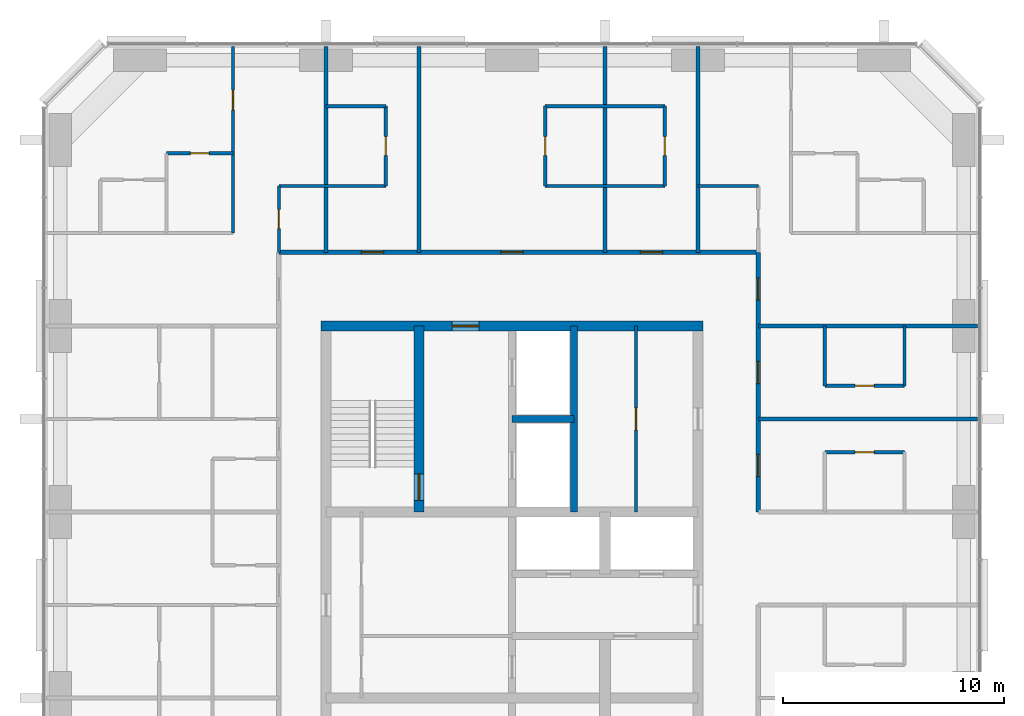
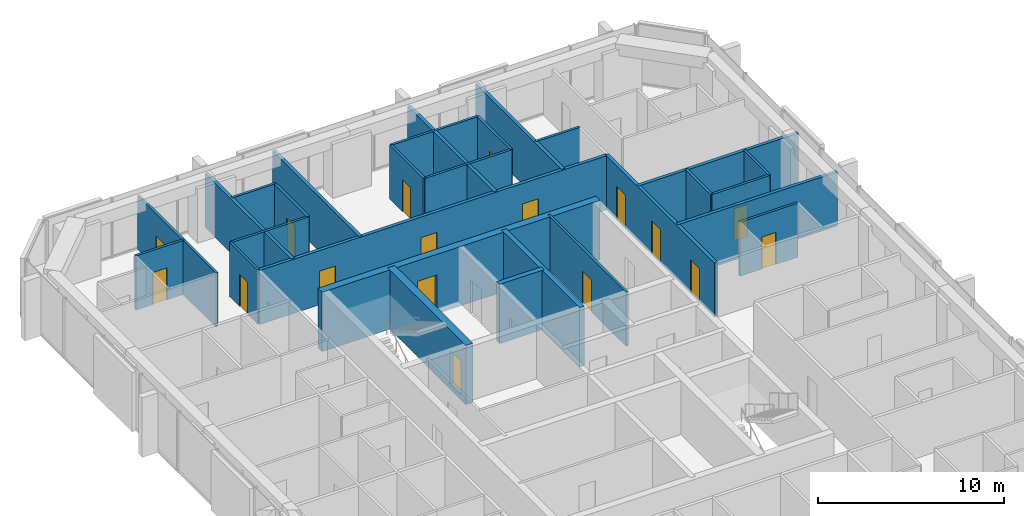
# One storey, part 10 of 12: 28 walls, 17 doors, 17 openings.
"""IFC4 building model written with IfcOpenShell, lengths in metres."""

from ifc_helpers import new_model, si_unit, direction, frame, frame_2d, origin, place, context, subcontext, project, spatial, rectangle, extrude, material, layer, layer_set, type_object, element, fill, save


model = new_model("IFC4")

# Units and contexts
model_context = context("Model", 3, precision=1e-05, world=origin(), true_north=direction((0.0, 1.0)))
body_context = subcontext(model_context, "Body", "Model", "MODEL_VIEW")
ifc_project = project(units=[si_unit("LENGTHUNIT", "METRE"), si_unit("AREAUNIT", "SQUARE_METRE"), si_unit("VOLUMEUNIT", "CUBIC_METRE"), si_unit("PLANEANGLEUNIT", "RADIAN"), si_unit("MASSUNIT", "GRAM", prefix="KILO")], contexts=[model_context])

# Site, building, storey
site_placement = place(None, origin())
site = spatial("IfcSite", under=ifc_project, at=site_placement, CompositionType="ELEMENT")
building_placement = place(site_placement, origin())
building = spatial("IfcBuilding", under=site, at=building_placement, Name="Dunama Terrace Hotel", CompositionType="ELEMENT")
storey_placement = place(building_placement, frame((0.0, 0.0, 260.699951171875)))
storey = spatial("IfcBuildingStorey", under=building, at=storey_placement, Name="L67", CompositionType="ELEMENT", Elevation=260.699951171875)

# Wall, opening, door
ifc_material_1 = material(Name="Gypsum board partition", Category="masonry")
ifc_layer_1 = layer(ifc_material_1, 0.14990234375)
ifc_layer_set_1 = layer_set([ifc_layer_1], Name="Bathroom partition 150")
wall_type_1 = type_object("IfcWallType", Name="Bathroom partition 150", PredefinedType="PARTITIONING", material=ifc_layer_set_1)
wall_1_placement = place(storey_placement, frame((23.074951171875, 45.324951171875, 0.0), z_axis=(0.0, 0.0, 1.0), x_axis=(0.0, 1.0, 0.0)))
wall_1 = element("IfcWall", 1, at=wall_1_placement, inside=storey, type_object=wall_type_1, Name="Bathroom partition 150 L67", PredefinedType="PARTITIONING", context=body_context, shape_type="SweptSolid", body=[
    extrude(rectangle(XDim=3.0, YDim=0.14990234375, at=frame_2d((1.5, 0.0))), origin(), (0.0, 0.0, 1.0), 3.550048828125),
])
opening_1_placement = place(wall_1_placement, frame((1.074951171875, 0.0, 0.0)))
opening_1 = element("IfcOpeningElement", 2, at=opening_1_placement, cuts=wall_1, Name="Opening L65-67-060", PredefinedType="OPENING", context=body_context, shape_type="SweptSolid", body=[
    extrude(rectangle(XDim=0.85009765625, YDim=2.10009765625, at=frame_2d((0.425048828125, 1.050048828125))), frame((0.0, 0.0849609375, 0.0), z_axis=(0.0, -1.0, 0.0), x_axis=(1.0, 0.0, 0.0)), (0.0, 0.0, 1.0), 0.169921875),
])
ifc_material_2 = material(Name="Timber door with steel frame", Category="steel")
door_type_1 = type_object("IfcDoorType", Name="Bathroom door 850", OperationType="SINGLE_SWING_LEFT", PredefinedType="DOOR", material=ifc_material_2)
door_1_placement = place(opening_1_placement, frame((0.85009765625, 0.0, 0.0), z_axis=(0.0, 0.0, 1.0), x_axis=(-1.0, 0.0, 0.0)))
door_1 = element("IfcDoor", 3, at=door_1_placement, inside=storey, type_object=door_type_1, Name="Door to powder room L65-67-060, type D2", OperationType="SINGLE_SWING_RIGHT", OverallHeight=2.10009765625, OverallWidth=0.85009765625, PredefinedType="DOOR", context=body_context, shape_type="SweptSolid", body=[
    extrude(rectangle(XDim=0.85009765625, YDim=2.10009765625, at=frame_2d((0.425048828125, 1.050048828125))), frame((0.0, 0.025146484375, 0.0), z_axis=(0.0, -1.0, 0.0), x_axis=(1.0, 0.0, 0.0)), (0.0, 0.0, 1.0), 0.050048828125),
])
fill(opening_1, door_1)

wall_2_placement = place(storey_placement, frame((27.89990234375, 48.324951171875, 0.0), z_axis=(0.0, 0.0, 1.0), x_axis=(0.0, 1.0, 0.0)))
wall_2 = element("IfcWall", 4, at=wall_2_placement, inside=storey, type_object=wall_type_1, Name="Bathroom partition 150 L67", PredefinedType="PARTITIONING", context=body_context, shape_type="SweptSolid", body=[
    extrude(rectangle(XDim=3.60009765625, YDim=0.14990234375, at=frame_2d((1.800048828125, 0.0))), origin(), (0.0, 0.0, 1.0), 3.550048828125),
])
opening_2_placement = place(wall_2_placement, frame((1.375, 0.0, 0.0)))
opening_2 = element("IfcOpeningElement", 5, at=opening_2_placement, cuts=wall_2, Name="Opening L65-67-024", PredefinedType="OPENING", context=body_context, shape_type="SweptSolid", body=[
    extrude(rectangle(XDim=0.85009765625, YDim=2.10009765625, at=frame_2d((0.425048828125, 1.050048828125))), frame((0.0, 0.0849609375, 0.0), z_axis=(0.0, -1.0, 0.0), x_axis=(1.0, 0.0, 0.0)), (0.0, 0.0, 1.0), 0.169921875),
])
door_2_placement = place(opening_2_placement, origin())
door_2 = element("IfcDoor", 6, at=door_2_placement, inside=storey, type_object=door_type_1, Name="Door to en-suite bathroom L65-67-024, type D2", OperationType="SINGLE_SWING_RIGHT", OverallHeight=2.10009765625, OverallWidth=0.85009765625, PredefinedType="DOOR", context=body_context, shape_type="SweptSolid", body=[
    extrude(rectangle(XDim=0.85009765625, YDim=2.10009765625, at=frame_2d((0.425048828125, 1.050048828125))), frame((0.0, 0.02490234375, 0.0), z_axis=(0.0, -1.0, 0.0), x_axis=(1.0, 0.0, 0.0)), (0.0, 0.0, 1.0), 0.050048828125),
])
fill(opening_2, door_2)

wall_3_placement = place(storey_placement, frame((35.10009765625, 48.324951171875, 0.0), z_axis=(0.0, 0.0, 1.0), x_axis=(0.0, 1.0, 0.0)))
wall_3 = element("IfcWall", 7, at=wall_3_placement, inside=storey, type_object=wall_type_1, Name="Bathroom partition 150 L67", PredefinedType="PARTITIONING", context=body_context, shape_type="SweptSolid", body=[
    extrude(rectangle(XDim=3.60009765625, YDim=0.14990234375, at=frame_2d((1.800048828125, 0.0))), origin(), (0.0, 0.0, 1.0), 3.550048828125),
])
opening_3_placement = place(wall_3_placement, frame((1.375, 0.0, 0.0)))
opening_3 = element("IfcOpeningElement", 8, at=opening_3_placement, cuts=wall_3, Name="Opening L65-67-026", PredefinedType="OPENING", context=body_context, shape_type="SweptSolid", body=[
    extrude(rectangle(XDim=0.85009765625, YDim=2.10009765625, at=frame_2d((0.425048828125, 1.050048828125))), frame((0.0, 0.0849609375, 0.0), z_axis=(0.0, -1.0, 0.0), x_axis=(1.0, 0.0, 0.0)), (0.0, 0.0, 1.0), 0.169921875),
])
door_3_placement = place(opening_3_placement, frame((0.85009765625, 0.0, 0.0), z_axis=(0.0, 0.0, 1.0), x_axis=(-1.0, 0.0, 0.0)))
door_3 = element("IfcDoor", 9, at=door_3_placement, inside=storey, type_object=door_type_1, Name="Door to en-suite bathroom L65-67-026, type D2", OperationType="SINGLE_SWING_LEFT", OverallHeight=2.10009765625, OverallWidth=0.85009765625, PredefinedType="DOOR", context=body_context, shape_type="SweptSolid", body=[
    extrude(rectangle(XDim=0.85009765625, YDim=2.10009765625, at=frame_2d((0.425048828125, 1.050048828125))), frame((0.0, 0.025146484375, 0.0), z_axis=(0.0, -1.0, 0.0), x_axis=(1.0, 0.0, 0.0)), (0.0, 0.0, 1.0), 0.050048828125),
])
fill(opening_3, door_3)

wall_4_placement = place(storey_placement, frame((40.5, 48.324951171875, 0.0), z_axis=(0.0, 0.0, 1.0), x_axis=(0.0, 1.0, 0.0)))
wall_4 = element("IfcWall", 10, at=wall_4_placement, inside=storey, type_object=wall_type_1, Name="Bathroom partition 150 L67", PredefinedType="PARTITIONING", context=body_context, shape_type="SweptSolid", body=[
    extrude(rectangle(XDim=3.60009765625, YDim=0.14990234375, at=frame_2d((1.800048828125, 0.0))), origin(), (0.0, 0.0, 1.0), 3.550048828125),
])
opening_4_placement = place(wall_4_placement, frame((1.375, 0.0, 0.0)))
opening_4 = element("IfcOpeningElement", 11, at=opening_4_placement, cuts=wall_4, Name="Opening L65-67-028", PredefinedType="OPENING", context=body_context, shape_type="SweptSolid", body=[
    extrude(rectangle(XDim=0.85009765625, YDim=2.10009765625, at=frame_2d((0.425048828125, 1.050048828125))), frame((0.0, 0.0849609375, 0.0), z_axis=(0.0, -1.0, 0.0), x_axis=(1.0, 0.0, 0.0)), (0.0, 0.0, 1.0), 0.169921875),
])
door_4_placement = place(opening_4_placement, origin())
door_4 = element("IfcDoor", 12, at=door_4_placement, inside=storey, type_object=door_type_1, Name="Door to en-suite bathroom L65-67-028, type D2", OperationType="SINGLE_SWING_RIGHT", OverallHeight=2.10009765625, OverallWidth=0.85009765625, PredefinedType="DOOR", context=body_context, shape_type="SweptSolid", body=[
    extrude(rectangle(XDim=0.85009765625, YDim=2.10009765625, at=frame_2d((0.425048828125, 1.050048828125))), frame((0.0, 0.02490234375, 0.0), z_axis=(0.0, -1.0, 0.0), x_axis=(1.0, 0.0, 0.0)), (0.0, 0.0, 1.0), 0.050048828125),
])
fill(opening_4, door_4)

# Walls
for number, where, z_axis, x_axis, name in (
    (13, (47.72509765625, 39.300048828125, 0.0), (0.0, 0.0, 1.0), (0.0, 1.0, 0.0), "Bathroom partition 150 L67"),
    (14, (51.324951171875, 39.300048828125, 0.0), (0.0, 0.0, 1.0), (0.0, 1.0, 0.0), "Bathroom partition 150 L67"),
):
    element("IfcWall", number, at=place(storey_placement, frame(where, z_axis=z_axis, x_axis=x_axis)), inside=storey, type_object=wall_type_1, Name=name, PredefinedType="PARTITIONING", context=body_context, shape_type="SweptSolid", body=[
        extrude(rectangle(XDim=2.699951171875, YDim=0.14990234375, at=frame_2d((1.35009765625, 0.0))), origin(), (0.0, 0.0, 1.0), 3.550048828125),
    ])

# Wall, opening, door
wall_5_placement = place(storey_placement, frame((47.72509765625, 36.300048828125, 0.0), z_axis=(0.0, 0.0, 1.0), x_axis=(1.0, 0.0, 0.0)))
wall_5 = element("IfcWall", 15, at=wall_5_placement, inside=storey, type_object=wall_type_1, Name="Bathroom partition 150 L67", PredefinedType="PARTITIONING", context=body_context, shape_type="SweptSolid", body=[
    extrude(rectangle(XDim=3.599853515625, YDim=0.14990234375, at=frame_2d((1.7998046875, 0.0))), origin(), (0.0, 0.0, 1.0), 3.550048828125),
])
opening_5_placement = place(wall_5_placement, frame((1.375, 0.0, 0.0)))
opening_5 = element("IfcOpeningElement", 16, at=opening_5_placement, cuts=wall_5, Name="Opening L65-67-020", PredefinedType="OPENING", context=body_context, shape_type="SweptSolid", body=[
    extrude(rectangle(XDim=0.85009765625, YDim=2.10009765625, at=frame_2d((0.425048828125, 1.050048828125))), frame((0.0, 0.0849609375, 0.0), z_axis=(0.0, -1.0, 0.0), x_axis=(1.0, 0.0, 0.0)), (0.0, 0.0, 1.0), 0.169921875),
])
door_5_placement = place(opening_5_placement, frame((0.85009765625, 0.0, 0.0), z_axis=(0.0, 0.0, 1.0), x_axis=(-1.0, 0.0, 0.0)))
door_5 = element("IfcDoor", 17, at=door_5_placement, inside=storey, type_object=door_type_1, Name="Door to en-suite bathroom L65-67-020, type D2", OperationType="SINGLE_SWING_RIGHT", OverallHeight=2.10009765625, OverallWidth=0.85009765625, PredefinedType="DOOR", context=body_context, shape_type="SweptSolid", body=[
    extrude(rectangle(XDim=0.85009765625, YDim=2.10009765625, at=frame_2d((0.425048828125, 1.050048828125))), frame((0.0, 0.025146484375, 0.0), z_axis=(0.0, -1.0, 0.0), x_axis=(1.0, 0.0, 0.0)), (0.0, 0.0, 1.0), 0.050048828125),
])
fill(opening_5, door_5)

wall_6_placement = place(storey_placement, frame((47.72509765625, 39.300048828125, 0.0), z_axis=(0.0, 0.0, 1.0), x_axis=(1.0, 0.0, 0.0)))
wall_6 = element("IfcWall", 18, at=wall_6_placement, inside=storey, type_object=wall_type_1, Name="Bathroom partition 150 L67", PredefinedType="PARTITIONING", context=body_context, shape_type="SweptSolid", body=[
    extrude(rectangle(XDim=3.599853515625, YDim=0.14990234375, at=frame_2d((1.7998046875, 0.0))), origin(), (0.0, 0.0, 1.0), 3.550048828125),
])
opening_6_placement = place(wall_6_placement, frame((1.375, 0.0, 0.0)))
opening_6 = element("IfcOpeningElement", 19, at=opening_6_placement, cuts=wall_6, Name="Opening L65-67-022", PredefinedType="OPENING", context=body_context, shape_type="SweptSolid", body=[
    extrude(rectangle(XDim=0.85009765625, YDim=2.10009765625, at=frame_2d((0.425048828125, 1.050048828125))), frame((0.0, 0.0849609375, 0.0), z_axis=(0.0, -1.0, 0.0), x_axis=(1.0, 0.0, 0.0)), (0.0, 0.0, 1.0), 0.169921875),
])
door_6_placement = place(opening_6_placement, origin())
door_6 = element("IfcDoor", 20, at=door_6_placement, inside=storey, type_object=door_type_1, Name="Door to en-suite bathroom L65-67-022, type D2", OperationType="SINGLE_SWING_LEFT", OverallHeight=2.10009765625, OverallWidth=0.85009765625, PredefinedType="DOOR", context=body_context, shape_type="SweptSolid", body=[
    extrude(rectangle(XDim=0.85009765625, YDim=2.10009765625, at=frame_2d((0.425048828125, 1.050048828125))), frame((0.0, 0.02490234375, 0.0), z_axis=(0.0, -1.0, 0.0), x_axis=(1.0, 0.0, 0.0)), (0.0, 0.0, 1.0), 0.050048828125),
])
fill(opening_6, door_6)

# Walls
wall_7_placement = place(storey_placement, frame((23.074951171875, 48.324951171875, 0.0), z_axis=(0.0, 0.0, 1.0), x_axis=(1.0, 0.0, 0.0)))
element("IfcWall", 21, at=wall_7_placement, inside=storey, type_object=wall_type_1, Name="Bathroom partition 150 L67", PredefinedType="PARTITIONING", context=body_context, shape_type="SweptSolid", body=[
    extrude(rectangle(XDim=4.824951171875, YDim=0.14990234375, at=frame_2d((2.41259765625, 0.0))), origin(), (0.0, 0.0, 1.0), 3.550048828125),
])
wall_8_placement = place(storey_placement, frame((35.10009765625, 48.324951171875, 0.0), z_axis=(0.0, 0.0, 1.0), x_axis=(1.0, 0.0, 0.0)))
element("IfcWall", 22, at=wall_8_placement, inside=storey, type_object=wall_type_1, Name="Bathroom partition 150 L67", PredefinedType="PARTITIONING", context=body_context, shape_type="SweptSolid", body=[
    extrude(rectangle(XDim=5.39990234375, YDim=0.14990234375, at=frame_2d((2.699951171875, 0.0))), origin(), (0.0, 0.0, 1.0), 3.550048828125),
])
wall_9_placement = place(storey_placement, frame((42.0, 48.324951171875, 0.0), z_axis=(0.0, 0.0, 1.0), x_axis=(1.0, 0.0, 0.0)))
element("IfcWall", 23, at=wall_9_placement, inside=storey, type_object=wall_type_1, Name="Bathroom partition 150 L67", PredefinedType="PARTITIONING", context=body_context, shape_type="SweptSolid", body=[
    extrude(rectangle(XDim=2.72509765625, YDim=0.14990234375, at=frame_2d((1.362548828125, 0.0))), origin(), (0.0, 0.0, 1.0), 3.550048828125),
])

# Wall, opening, door
wall_10_placement = place(storey_placement, frame((18.0, 49.800048828125, 0.0), z_axis=(0.0, 0.0, 1.0), x_axis=(1.0, 0.0, 0.0)))
wall_10 = element("IfcWall", 24, at=wall_10_placement, inside=storey, type_object=wall_type_1, Name="Bathroom partition 150 L67", PredefinedType="PARTITIONING", context=body_context, shape_type="SweptSolid", body=[
    extrude(rectangle(XDim=3.0, YDim=0.14990234375, at=frame_2d((1.5, 0.0))), origin(), (0.0, 0.0, 1.0), 3.550048828125),
])
opening_7_placement = place(wall_10_placement, frame((1.074951171875, 0.0, 0.0)))
opening_7 = element("IfcOpeningElement", 25, at=opening_7_placement, cuts=wall_10, Name="Opening L65-67-062", PredefinedType="OPENING", context=body_context, shape_type="SweptSolid", body=[
    extrude(rectangle(XDim=0.85009765625, YDim=2.10009765625, at=frame_2d((0.425048828125, 1.050048828125))), frame((0.0, 0.0849609375, 0.0), z_axis=(0.0, -1.0, 0.0), x_axis=(1.0, 0.0, 0.0)), (0.0, 0.0, 1.0), 0.169921875),
])
door_7_placement = place(opening_7_placement, frame((0.85009765625, 0.0, 0.0), z_axis=(0.0, 0.0, 1.0), x_axis=(-1.0, 0.0, 0.0)))
door_7 = element("IfcDoor", 26, at=door_7_placement, inside=storey, type_object=door_type_1, Name="Door to en-suite bathroom L65-67-062, type D2", OperationType="SINGLE_SWING_RIGHT", OverallHeight=2.10009765625, OverallWidth=0.85009765625, PredefinedType="DOOR", context=body_context, shape_type="SweptSolid", body=[
    extrude(rectangle(XDim=0.85009765625, YDim=2.10009765625, at=frame_2d((0.425048828125, 1.050048828125))), frame((0.0, 0.025146484375, 0.0), z_axis=(0.0, -1.0, 0.0), x_axis=(1.0, 0.0, 0.0)), (0.0, 0.0, 1.0), 0.050048828125),
])
fill(opening_7, door_7)

# Walls
wall_11_placement = place(storey_placement, frame((25.199951171875, 51.925048828125, 0.0), z_axis=(0.0, 0.0, 1.0), x_axis=(1.0, 0.0, 0.0)))
element("IfcWall", 27, at=wall_11_placement, inside=storey, type_object=wall_type_1, Name="Bathroom partition 150 L67", PredefinedType="PARTITIONING", context=body_context, shape_type="SweptSolid", body=[
    extrude(rectangle(XDim=2.699951171875, YDim=0.14990234375, at=frame_2d((1.35009765625, 0.0))), origin(), (0.0, 0.0, 1.0), 3.550048828125),
])
wall_12_placement = place(storey_placement, frame((35.10009765625, 51.925048828125, 0.0), z_axis=(0.0, 0.0, 1.0), x_axis=(1.0, 0.0, 0.0)))
element("IfcWall", 28, at=wall_12_placement, inside=storey, type_object=wall_type_1, Name="Bathroom partition 150 L67", PredefinedType="PARTITIONING", context=body_context, shape_type="SweptSolid", body=[
    extrude(rectangle(XDim=5.39990234375, YDim=0.14990234375, at=frame_2d((2.699951171875, 0.0))), origin(), (0.0, 0.0, 1.0), 3.550048828125),
])
ifc_material_3 = material(Name="Concrete C50/60", Category="concrete")
ifc_layer_2 = layer(ifc_material_3, 0.300048828125)
ifc_layer_set_2 = layer_set([ifc_layer_2], Name="Core inner wall 300")
wall_type_2 = type_object("IfcWallType", Name="Core inner wall 300", PredefinedType="SHEAR", material=ifc_layer_set_2)
wall_13_placement = place(storey_placement, frame((36.39990234375, 33.60009765625, -0.349853515625), z_axis=(0.0, 0.0, 1.0), x_axis=(0.0, 1.0, 0.0)))
element("IfcWall", 29, at=wall_13_placement, inside=storey, type_object=wall_type_2, Name="Core inner wall 300 L67", PredefinedType="SHEAR", context=body_context, shape_type="SweptSolid", body=[
    extrude(rectangle(XDim=8.39990234375, YDim=0.300048828125, at=frame_2d((4.199951171875, 0.0))), origin(), (0.0, 0.0, 1.0), 3.89990234375),
])
wall_14_placement = place(storey_placement, frame((33.60009765625, 37.800048828125, -0.349853515625), z_axis=(0.0, 0.0, 1.0), x_axis=(1.0, 0.0, 0.0)))
element("IfcWall", 30, at=wall_14_placement, inside=storey, type_object=wall_type_2, Name="Core inner wall 300 L67", PredefinedType="SHEAR", context=body_context, shape_type="SweptSolid", body=[
    extrude(rectangle(XDim=2.7998046875, YDim=0.300048828125, at=frame_2d((1.39990234375, 0.0))), origin(), (0.0, 0.0, 1.0), 3.89990234375),
])

# Wall, opening, door
ifc_material_4 = material(Name="Concrete C50/60", Category="concrete")
ifc_layer_3 = layer(ifc_material_4, 0.449951171875)
ifc_layer_set_3 = layer_set([ifc_layer_3], Name="Core inner wall 450")
wall_type_3 = type_object("IfcWallType", Name="Core inner wall 450", PredefinedType="SHEAR", material=ifc_layer_set_3)
wall_15_placement = place(storey_placement, frame((29.39990234375, 33.60009765625, -0.349853515625), z_axis=(0.0, 0.0, 1.0), x_axis=(0.0, 1.0, 0.0)))
wall_15 = element("IfcWall", 31, at=wall_15_placement, inside=storey, type_object=wall_type_3, Name="Core inner wall 450 L67", PredefinedType="SHEAR", context=body_context, shape_type="SweptSolid", body=[
    extrude(rectangle(XDim=8.39990234375, YDim=0.449951171875, at=frame_2d((4.199951171875, 0.0))), origin(), (0.0, 0.0, 1.0), 3.89990234375),
])
opening_8_placement = place(wall_15_placement, frame((0.52490234375, 0.0, 0.35009765625)))
opening_8 = element("IfcOpeningElement", 32, at=opening_8_placement, cuts=wall_15, Name="Opening L65-67-001", PredefinedType="OPENING", context=body_context, shape_type="SweptSolid", body=[
    extrude(rectangle(XDim=1.199951171875, YDim=2.199951171875, at=frame_2d((0.60009765625, 1.10009765625))), frame((0.0, 0.23486328125, 0.0), z_axis=(0.0, -1.0, 0.0), x_axis=(1.0, 0.0, 0.0)), (0.0, 0.0, 1.0), 0.469970703125),
])
ifc_material_5 = material(Name="Timber door with steel frame", Category="steel")
door_type_2 = type_object("IfcDoorType", Name="Stair door 1200", OperationType="SINGLE_SWING_LEFT", PredefinedType="DOOR", material=ifc_material_5)
door_8_placement = place(opening_8_placement, origin())
door_8 = element("IfcDoor", 33, at=door_8_placement, inside=storey, type_object=door_type_2, Name="Stair door ST1 L65-67-001, type D5", OperationType="SINGLE_SWING_LEFT", OverallHeight=2.199951171875, OverallWidth=1.199951171875, PredefinedType="DOOR", context=body_context, shape_type="SweptSolid", body=[
    extrude(rectangle(XDim=1.199951171875, YDim=2.199951171875, at=frame_2d((0.60009765625, 1.10009765625))), frame((0.0, 0.02490234375, 0.0), z_axis=(0.0, -1.0, 0.0), x_axis=(1.0, 0.0, 0.0)), (0.0, 0.0, 1.0), 0.050048828125),
])
fill(opening_8, door_8)

ifc_material_6 = material(Name="Concrete C50/60", Category="concrete")
ifc_layer_4 = layer(ifc_material_6, 0.449951171875)
ifc_layer_set_4 = layer_set([ifc_layer_4], Name="Core wall 450")
wall_type_4 = type_object("IfcWallType", Name="Core wall 450", PredefinedType="SHEAR", material=ifc_layer_set_4)
wall_16_placement = place(storey_placement, frame((42.22509765625, 42.0, -0.349853515625), z_axis=(0.0, 0.0, 1.0), x_axis=(-1.0, 0.0, 0.0)))
wall_16 = element("IfcWall", 34, at=wall_16_placement, inside=storey, type_object=wall_type_4, Name="Core wall north L67", PredefinedType="SHEAR", context=body_context, shape_type="SweptSolid", body=[
    extrude(rectangle(XDim=17.25, YDim=0.449951171875, at=frame_2d((8.625, 0.0))), origin(), (0.0, 0.0, 1.0), 3.89990234375),
])
opening_9_placement = place(wall_16_placement, frame((10.125, 0.0, 0.35009765625)))
opening_9 = element("IfcOpeningElement", 35, at=opening_9_placement, cuts=wall_16, Name="Opening L65-67-070", PredefinedType="OPENING", context=body_context, shape_type="SweptSolid", body=[
    extrude(rectangle(XDim=1.199951171875, YDim=2.199951171875, at=frame_2d((0.60009765625, 1.10009765625))), frame((0.0, 0.23486328125, 0.0), z_axis=(0.0, -1.0, 0.0), x_axis=(1.0, 0.0, 0.0)), (0.0, 0.0, 1.0), 0.469970703125),
])
ifc_material_7 = material(Name="Timber door with steel frame", Category="steel")
door_type_3 = type_object("IfcDoorType", Name="Firefighting lobby door 1200", OperationType="SINGLE_SWING_LEFT", PredefinedType="DOOR", material=ifc_material_7)
door_9_placement = place(opening_9_placement, origin())
door_9 = element("IfcDoor", 36, at=door_9_placement, inside=storey, type_object=door_type_3, Name="Door to firefighting lobby L65-67-070, type D4", OperationType="SINGLE_SWING_RIGHT", OverallHeight=2.199951171875, OverallWidth=1.199951171875, PredefinedType="DOOR", context=body_context, shape_type="SweptSolid", body=[
    extrude(rectangle(XDim=1.199951171875, YDim=2.199951171875, at=frame_2d((0.60009765625, 1.10009765625))), frame((0.0, 0.02490234375, 0.0), z_axis=(0.0, -1.0, 0.0), x_axis=(1.0, 0.0, 0.0)), (0.0, 0.0, 1.0), 0.050048828125),
])
fill(opening_9, door_9)

# Wall, openings, doors
ifc_material_8 = material(Name="Concrete blockwork", Category="masonry")
ifc_layer_5 = layer(ifc_material_8, 0.199951171875)
ifc_layer_set_5 = layer_set([ifc_layer_5], Name="Corridor partition 200")
wall_type_5 = type_object("IfcWallType", Name="Corridor partition 200", PredefinedType="PARTITIONING", material=ifc_layer_set_5)
wall_17_placement = place(storey_placement, frame((23.074951171875, 45.324951171875, 0.0), z_axis=(0.0, 0.0, 1.0), x_axis=(1.0, 0.0, 0.0)))
wall_17 = element("IfcWall", 37, at=wall_17_placement, inside=storey, type_object=wall_type_5, Name="Corridor partition 200 L67", PredefinedType="PARTITIONING", context=body_context, shape_type="SweptSolid", body=[
    extrude(rectangle(XDim=21.650146484375, YDim=0.199951171875, at=frame_2d((10.8251953125, 0.0))), origin(), (0.0, 0.0, 1.0), 3.550048828125),
])
opening_10_placement = place(wall_17_placement, frame((3.72509765625, 0.0, 0.0)))
opening_10 = element("IfcOpeningElement", 38, at=opening_10_placement, cuts=wall_17, Name="Opening L65-67-023", PredefinedType="OPENING", context=body_context, shape_type="SweptSolid", body=[
    extrude(rectangle(XDim=1.0, YDim=2.199951171875, at=frame_2d((0.5, 1.10009765625))), frame((0.0, 0.10986328125, 0.0), z_axis=(0.0, -1.0, 0.0), x_axis=(1.0, 0.0, 0.0)), (0.0, 0.0, 1.0), 0.219970703125),
])
opening_11_placement = place(wall_17_placement, frame((10.02490234375, 0.0, 0.0)))
opening_11 = element("IfcOpeningElement", 39, at=opening_11_placement, cuts=wall_17, Name="Opening L65-67-025", PredefinedType="OPENING", context=body_context, shape_type="SweptSolid", body=[
    extrude(rectangle(XDim=1.0, YDim=2.199951171875, at=frame_2d((0.5, 1.10009765625))), frame((0.0, 0.10986328125, 0.0), z_axis=(0.0, -1.0, 0.0), x_axis=(1.0, 0.0, 0.0)), (0.0, 0.0, 1.0), 0.219970703125),
])
opening_12_placement = place(wall_17_placement, frame((16.324951171875, 0.0, 0.0)))
opening_12 = element("IfcOpeningElement", 40, at=opening_12_placement, cuts=wall_17, Name="Opening L65-67-027", PredefinedType="OPENING", context=body_context, shape_type="SweptSolid", body=[
    extrude(rectangle(XDim=1.0, YDim=2.199951171875, at=frame_2d((0.5, 1.10009765625))), frame((0.0, 0.10986328125, 0.0), z_axis=(0.0, -1.0, 0.0), x_axis=(1.0, 0.0, 0.0)), (0.0, 0.0, 1.0), 0.219970703125),
])
ifc_material_9 = material(Name="Timber door with steel frame", Category="steel")
door_type_4 = type_object("IfcDoorType", Name="Guest room door 1000", OperationType="SINGLE_SWING_LEFT", PredefinedType="DOOR", material=ifc_material_9)
door_10_placement = place(opening_10_placement, origin())
door_10 = element("IfcDoor", 41, at=door_10_placement, inside=storey, type_object=door_type_4, Name="Door to studio suite L65-67-023, type D1", OperationType="SINGLE_SWING_RIGHT", OverallHeight=2.199951171875, OverallWidth=1.0, PredefinedType="DOOR", context=body_context, shape_type="SweptSolid", body=[
    extrude(rectangle(XDim=1.0, YDim=2.199951171875, at=frame_2d((0.5, 1.10009765625))), frame((0.0, 0.02490234375, 0.0), z_axis=(0.0, -1.0, 0.0), x_axis=(1.0, 0.0, 0.0)), (0.0, 0.0, 1.0), 0.050048828125),
])
fill(opening_10, door_10)
door_11_placement = place(opening_11_placement, origin())
door_11 = element("IfcDoor", 42, at=door_11_placement, inside=storey, type_object=door_type_4, Name="Door to junior suite L65-67-025, type D1", OperationType="SINGLE_SWING_RIGHT", OverallHeight=2.199951171875, OverallWidth=1.0, PredefinedType="DOOR", context=body_context, shape_type="SweptSolid", body=[
    extrude(rectangle(XDim=1.0, YDim=2.199951171875, at=frame_2d((0.5, 1.10009765625))), frame((0.0, 0.02490234375, 0.0), z_axis=(0.0, -1.0, 0.0), x_axis=(1.0, 0.0, 0.0)), (0.0, 0.0, 1.0), 0.050048828125),
])
fill(opening_11, door_11)
door_12_placement = place(opening_12_placement, origin())
door_12 = element("IfcDoor", 43, at=door_12_placement, inside=storey, type_object=door_type_4, Name="Door to studio suite L65-67-027, type D1", OperationType="SINGLE_SWING_LEFT", OverallHeight=2.199951171875, OverallWidth=1.0, PredefinedType="DOOR", context=body_context, shape_type="SweptSolid", body=[
    extrude(rectangle(XDim=1.0, YDim=2.199951171875, at=frame_2d((0.5, 1.10009765625))), frame((0.0, 0.02490234375, 0.0), z_axis=(0.0, -1.0, 0.0), x_axis=(1.0, 0.0, 0.0)), (0.0, 0.0, 1.0), 0.050048828125),
])
fill(opening_12, door_12)

wall_18_placement = place(storey_placement, frame((44.72509765625, 45.324951171875, 0.0), z_axis=(0.0, 0.0, 1.0), x_axis=(0.0, -1.0, 0.0)))
wall_18 = element("IfcWall", 44, at=wall_18_placement, inside=storey, type_object=wall_type_5, Name="Corridor partition 200 L67", PredefinedType="PARTITIONING", context=body_context, shape_type="SweptSolid", body=[
    extrude(rectangle(XDim=11.724853515625, YDim=0.199951171875, at=frame_2d((5.8623046875, 0.0))), origin(), (0.0, 0.0, 1.0), 3.550048828125),
])
opening_13_placement = place(wall_18_placement, frame((9.125, 0.0, 0.0)))
opening_13 = element("IfcOpeningElement", 45, at=opening_13_placement, cuts=wall_18, Name="Opening L65-67-019", PredefinedType="OPENING", context=body_context, shape_type="SweptSolid", body=[
    extrude(rectangle(XDim=1.0, YDim=2.199951171875, at=frame_2d((0.5, 1.10009765625))), frame((0.0, 0.10986328125, 0.0), z_axis=(0.0, -1.0, 0.0), x_axis=(1.0, 0.0, 0.0)), (0.0, 0.0, 1.0), 0.219970703125),
])
opening_14_placement = place(wall_18_placement, frame((4.925048828125, 0.0, 0.0)))
opening_14 = element("IfcOpeningElement", 46, at=opening_14_placement, cuts=wall_18, Name="Opening L65-67-021", PredefinedType="OPENING", context=body_context, shape_type="SweptSolid", body=[
    extrude(rectangle(XDim=1.0, YDim=2.199951171875, at=frame_2d((0.5, 1.10009765625))), frame((0.0, 0.10986328125, 0.0), z_axis=(0.0, -1.0, 0.0), x_axis=(1.0, 0.0, 0.0)), (0.0, 0.0, 1.0), 0.219970703125),
])
opening_15_placement = place(wall_18_placement, frame((1.162109375, 0.0, 0.0)))
opening_15 = element("IfcOpeningElement", 47, at=opening_15_placement, cuts=wall_18, Name="Opening L65-67-054", PredefinedType="OPENING", context=body_context, shape_type="SweptSolid", body=[
    extrude(rectangle(XDim=1.0, YDim=2.199951171875, at=frame_2d((0.5, 1.10009765625))), frame((0.0, 0.10986328125, 0.0), z_axis=(0.0, -1.0, 0.0), x_axis=(1.0, 0.0, 0.0)), (0.0, 0.0, 1.0), 0.219970703125),
])
door_13_placement = place(opening_13_placement, origin())
door_13 = element("IfcDoor", 48, at=door_13_placement, inside=storey, type_object=door_type_4, Name="Door to studio suite L65-67-019, type D1", OperationType="SINGLE_SWING_LEFT", OverallHeight=2.199951171875, OverallWidth=1.0, PredefinedType="DOOR", context=body_context, shape_type="SweptSolid", body=[
    extrude(rectangle(XDim=1.0, YDim=2.199951171875, at=frame_2d((0.5, 1.10009765625))), frame((0.0, 0.02490234375, 0.0), z_axis=(0.0, -1.0, 0.0), x_axis=(1.0, 0.0, 0.0)), (0.0, 0.0, 1.0), 0.050048828125),
])
fill(opening_13, door_13)
door_14_placement = place(opening_14_placement, origin())
door_14 = element("IfcDoor", 49, at=door_14_placement, inside=storey, type_object=door_type_4, Name="Door to studio suite L65-67-021, type D1", OperationType="SINGLE_SWING_LEFT", OverallHeight=2.199951171875, OverallWidth=1.0, PredefinedType="DOOR", context=body_context, shape_type="SweptSolid", body=[
    extrude(rectangle(XDim=1.0, YDim=2.199951171875, at=frame_2d((0.5, 1.10009765625))), frame((0.0, 0.02490234375, 0.0), z_axis=(0.0, -1.0, 0.0), x_axis=(1.0, 0.0, 0.0)), (0.0, 0.0, 1.0), 0.050048828125),
])
fill(opening_14, door_14)
door_15_placement = place(opening_15_placement, origin())
door_15 = element("IfcDoor", 50, at=door_15_placement, inside=storey, type_object=door_type_4, Name="Door to grand corner suite living room L65-67-054, type D1", OperationType="SINGLE_SWING_LEFT", OverallHeight=2.199951171875, OverallWidth=1.0, PredefinedType="DOOR", context=body_context, shape_type="SweptSolid", body=[
    extrude(rectangle(XDim=1.0, YDim=2.199951171875, at=frame_2d((0.5, 1.10009765625))), frame((0.0, 0.02490234375, 0.0), z_axis=(0.0, -1.0, 0.0), x_axis=(1.0, 0.0, 0.0)), (0.0, 0.0, 1.0), 0.050048828125),
])
fill(opening_15, door_15)

# Walls
ifc_material_10 = material(Name="Concrete blockwork", Category="masonry")
ifc_layer_6 = layer(ifc_material_10, 0.199951171875)
ifc_layer_set_6 = layer_set([ifc_layer_6], Name="Party wall 200")
wall_type_6 = type_object("IfcWallType", Name="Party wall 200", PredefinedType="PARTITIONING", material=ifc_layer_set_6)
for number, where, z_axis, x_axis, name in (
    (51, (25.199951171875, 45.324951171875, 0.0), (0.0, 0.0, 1.0), (0.0, 1.0, 0.0), "Party wall 200 L67"),
    (52, (29.39990234375, 45.324951171875, 0.0), (0.0, 0.0, 1.0), (0.0, 1.0, 0.0), "Party wall 200 L67"),
    (53, (37.800048828125, 45.324951171875, 0.0), (0.0, 0.0, 1.0), (0.0, 1.0, 0.0), "Party wall 200 L67"),
    (54, (42.0, 45.324951171875, 0.0), (0.0, 0.0, 1.0), (0.0, 1.0, 0.0), "Party wall 200 L67"),
):
    element("IfcWall", number, at=place(storey_placement, frame(where, z_axis=z_axis, x_axis=x_axis)), inside=storey, type_object=wall_type_6, Name=name, PredefinedType="PARTITIONING", context=body_context, shape_type="SweptSolid", body=[
        extrude(rectangle(XDim=9.29296875, YDim=0.199951171875, at=frame_2d((4.646484375, 0.0))), origin(), (0.0, 0.0, 1.0), 3.550048828125),
    ])
for number, where, z_axis, x_axis, name in (
    (55, (44.72509765625, 37.800048828125, 0.0), (0.0, 0.0, 1.0), (1.0, 0.0, 0.0), "Party wall 200 L67"),
    (56, (44.72509765625, 42.0, 0.0), (0.0, 0.0, 1.0), (1.0, 0.0, 0.0), "Party wall 200 L67"),
):
    element("IfcWall", number, at=place(storey_placement, frame(where, z_axis=z_axis, x_axis=x_axis)), inside=storey, type_object=wall_type_6, Name=name, PredefinedType="PARTITIONING", context=body_context, shape_type="SweptSolid", body=[
        extrude(rectangle(XDim=9.892822265625, YDim=0.199951171875, at=frame_2d((4.9462890625, 0.0))), origin(), (0.0, 0.0, 1.0), 3.550048828125),
    ])

# Wall, opening, door
ifc_material_11 = material(Name="Gypsum board partition", Category="masonry")
ifc_layer_7 = layer(ifc_material_11, 0.14990234375)
ifc_layer_set_7 = layer_set([ifc_layer_7], Name="Room partition 150")
wall_type_7 = type_object("IfcWallType", Name="Room partition 150", PredefinedType="PARTITIONING", material=ifc_layer_set_7)
wall_19_placement = place(storey_placement, frame((21.0, 46.199951171875, 0.0), z_axis=(0.0, 0.0, 1.0), x_axis=(0.0, 1.0, 0.0)))
wall_19 = element("IfcWall", 57, at=wall_19_placement, inside=storey, type_object=wall_type_7, Name="Room partition 150 L67", PredefinedType="PARTITIONING", context=body_context, shape_type="SweptSolid", body=[
    extrude(rectangle(XDim=8.41796875, YDim=0.14990234375, at=frame_2d((4.208984375, 0.0))), origin(), (0.0, 0.0, 1.0), 3.550048828125),
])
opening_16_placement = place(wall_19_placement, frame((5.550048828125, 0.0, 0.0)))
opening_16 = element("IfcOpeningElement", 58, at=opening_16_placement, cuts=wall_19, Name="Opening L65-67-061", PredefinedType="OPENING", context=body_context, shape_type="SweptSolid", body=[
    extrude(rectangle(XDim=0.89990234375, YDim=2.10009765625, at=frame_2d((0.449951171875, 1.050048828125))), frame((0.0, 0.0849609375, 0.0), z_axis=(0.0, -1.0, 0.0), x_axis=(1.0, 0.0, 0.0)), (0.0, 0.0, 1.0), 0.169921875),
])
ifc_material_12 = material(Name="Timber door with steel frame", Category="steel")
door_type_5 = type_object("IfcDoorType", Name="Suite internal door 900", OperationType="SINGLE_SWING_LEFT", PredefinedType="DOOR", material=ifc_material_12)
door_16_placement = place(opening_16_placement, origin())
door_16 = element("IfcDoor", 59, at=door_16_placement, inside=storey, type_object=door_type_5, Name="Door to grand corner suite bedroom L65-67-061, type D16", OperationType="SINGLE_SWING_LEFT", OverallHeight=2.10009765625, OverallWidth=0.89990234375, PredefinedType="DOOR", context=body_context, shape_type="SweptSolid", body=[
    extrude(rectangle(XDim=0.89990234375, YDim=2.10009765625, at=frame_2d((0.449951171875, 1.050048828125))), frame((0.0, 0.02490234375, 0.0), z_axis=(0.0, -1.0, 0.0), x_axis=(1.0, 0.0, 0.0)), (0.0, 0.0, 1.0), 0.050048828125),
])
fill(opening_16, door_16)

wall_20_placement = place(storey_placement, frame((39.199951171875, 33.60009765625, 0.0), z_axis=(0.0, 0.0, 1.0), x_axis=(0.0, 1.0, 0.0)))
wall_20 = element("IfcWall", 60, at=wall_20_placement, inside=storey, type_object=wall_type_7, Name="Room partition 150 L67", PredefinedType="PARTITIONING", context=body_context, shape_type="SweptSolid", body=[
    extrude(rectangle(XDim=8.39990234375, YDim=0.14990234375, at=frame_2d((4.199951171875, 0.0))), origin(), (0.0, 0.0, 1.0), 3.550048828125),
])
opening_17_placement = place(wall_20_placement, frame((3.699951171875, 0.0, 0.0)))
opening_17 = element("IfcOpeningElement", 61, at=opening_17_placement, cuts=wall_20, Name="Opening L65-67-072", PredefinedType="OPENING", context=body_context, shape_type="SweptSolid", body=[
    extrude(rectangle(XDim=1.0, YDim=2.10009765625, at=frame_2d((0.5, 1.050048828125))), frame((0.0, 0.0849609375, 0.0), z_axis=(0.0, -1.0, 0.0), x_axis=(1.0, 0.0, 0.0)), (0.0, 0.0, 1.0), 0.169921875),
])
ifc_material_13 = material(Name="Timber door with steel frame", Category="steel")
door_type_6 = type_object("IfcDoorType", Name="Service door 1000", OperationType="SINGLE_SWING_LEFT", PredefinedType="DOOR", material=ifc_material_13)
door_17_placement = place(opening_17_placement, frame((1.0, 0.0, 0.0), z_axis=(0.0, 0.0, 1.0), x_axis=(-1.0, 0.0, 0.0)))
door_17 = element("IfcDoor", 62, at=door_17_placement, inside=storey, type_object=door_type_6, Name="Door to luggage store L65-67-072, type D7", OperationType="SINGLE_SWING_RIGHT", OverallHeight=2.10009765625, OverallWidth=1.0, PredefinedType="DOOR", context=body_context, shape_type="SweptSolid", body=[
    extrude(rectangle(XDim=1.0, YDim=2.10009765625, at=frame_2d((0.5, 1.050048828125))), frame((0.0, 0.025146484375, 0.0), z_axis=(0.0, -1.0, 0.0), x_axis=(1.0, 0.0, 0.0)), (0.0, 0.0, 1.0), 0.050048828125),
])
fill(opening_17, door_17)

save(model, "model.ifc")
